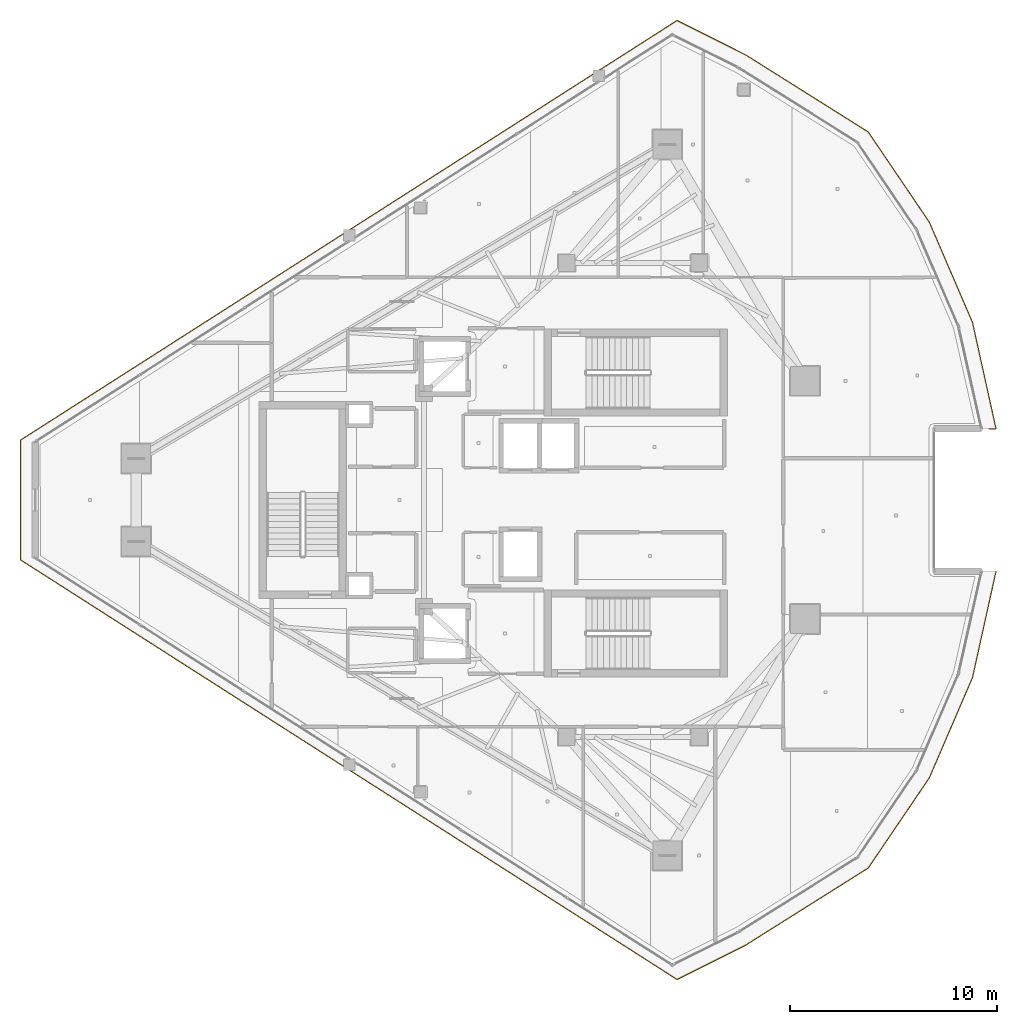
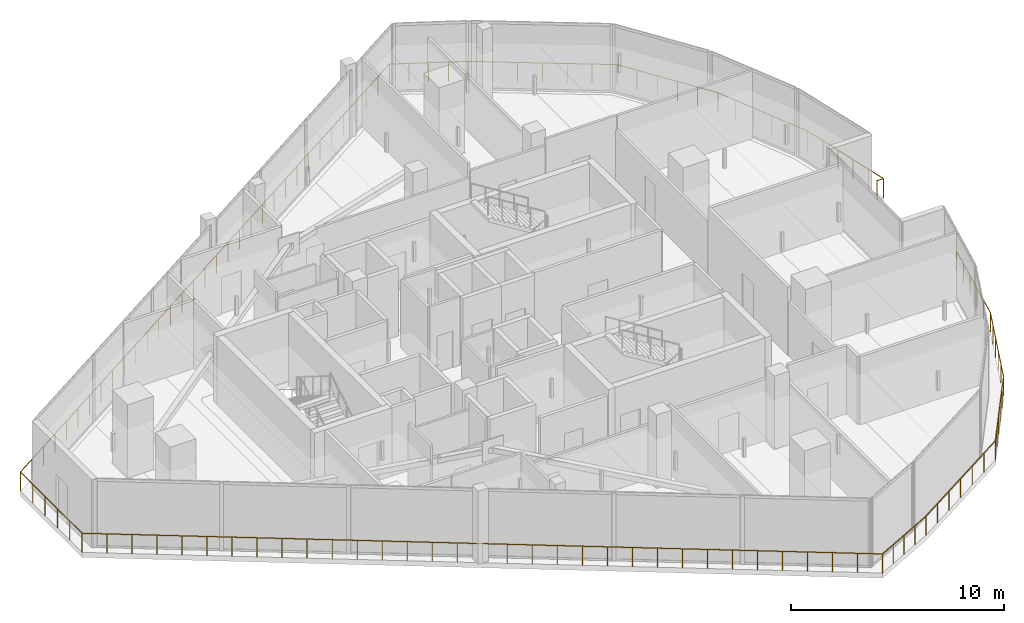
# One storey, part 28 of 30: 1 railing.
"""IFC4 building model written with IfcOpenShell, lengths in metres."""

from ifc_helpers import new_model, si_unit, direction, frame, origin, origin_2d, place, context, subcontext, project, spatial, circle, extrude, material, type_object, element, save


model = new_model("IFC4")

# Units and contexts
model_context = context("Model", 3, precision=1e-05, world=origin(), true_north=direction((0.0, 1.0)))
body_context = subcontext(model_context, "Body", "Model", "MODEL_VIEW")
ifc_project = project(units=[si_unit("LENGTHUNIT", "METRE"), si_unit("AREAUNIT", "SQUARE_METRE"), si_unit("VOLUMEUNIT", "CUBIC_METRE"), si_unit("PLANEANGLEUNIT", "RADIAN"), si_unit("MASSUNIT", "GRAM", prefix="KILO")], contexts=[model_context])

# Site, building, storey
site_placement = place(None, origin())
site = spatial("IfcSite", under=ifc_project, at=site_placement, CompositionType="ELEMENT")
building_placement = place(site_placement, origin())
building = spatial("IfcBuilding", under=site, at=building_placement, Name="Qorvath Tower", CompositionType="ELEMENT")
storey_placement = place(building_placement, frame((0.0, 0.0, 301.800048828125)))
storey = spatial("IfcBuildingStorey", under=building, at=storey_placement, Name="L70", CompositionType="ELEMENT", Elevation=301.800048828125)

# Railing
ifc_material = material(Name="Laminated safety glass and stainless steel AISI 316", Category="steel")
railing_type = type_object("IfcRailingType", Name="RL-EXT-GRD", PredefinedType="GUARDRAIL", material=ifc_material)
railing_placement = place(storey_placement, frame((-2.86376953125, -3.439697265625, 0.0)))
element("IfcRailing", 1, at=railing_placement, inside=storey, type_object=railing_type, Name="Loggia Perimeter Guardrail L70-1.1", PredefinedType="GUARDRAIL", context=body_context, shape_type="SweptSolid", body=[
    extrude(circle(Radius=0.02392578125, at=origin_2d()), frame((0.0, 0.0, 1.09619140625), z_axis=(-0.216076472798, -0.976376442722, 0.0), x_axis=(0.976376442722, -0.216076472798, 0.0)), (0.0, 0.0, 1.0), 5.267578125),
    extrude(circle(Radius=0.02392578125, at=origin_2d()), frame((-1.13818359375, -5.14306640625, 1.09619140625), z_axis=(-0.395484959437, -0.918472452967, 0.0), x_axis=(0.918472452967, -0.395484959437, 0.0)), (0.0, 0.0, 1.0), 5.267578125),
    extrude(circle(Radius=0.02392578125, at=origin_2d()), frame((-3.221435546875, -9.981201171875, 1.09619140625), z_axis=(-0.560824573661, -0.827934657795, 0.0), x_axis=(0.827934657795, -0.560824573661, 0.0)), (0.0, 0.0, 1.0), 5.267333984375),
    extrude(circle(Radius=0.02392578125, at=origin_2d()), frame((-6.175537109375, -14.34228515625, 1.09619140625), z_axis=(-0.846512689609, -0.53236854371, 0.0), x_axis=(0.53236854371, -0.846512689609, 0.0)), (0.0, 0.0, 1.0), 7.004638671875),
    extrude(circle(Radius=0.02392578125, at=origin_2d()), frame((-12.10498046875, -18.0712890625, 1.09619140625), z_axis=(-0.894413993798, -0.447239988931, 0.0), x_axis=(0.447239988931, -0.894413993798, 0.0)), (0.0, 0.0, 1.0), 3.699951171875),
    extrude(circle(Radius=0.02392578125, at=origin_2d()), frame((-15.414306640625, -19.72607421875, 1.09619140625), z_axis=(-0.842604611095, 0.538532700364, 0.0), x_axis=(-0.538532700364, -0.842604611095, 0.0)), (0.0, 0.0, 1.0), 37.639404296875),
    extrude(circle(Radius=0.02392578125, at=origin_2d()), frame((-47.12939453125, 0.5439453125, 1.09619140625), z_axis=(0.0, 1.0, 0.0), x_axis=(-1.0, 0.0, 0.0)), (0.0, 0.0, 1.0), 5.79150390625),
    extrude(circle(Radius=0.02392578125, at=origin_2d()), frame((-47.12939453125, 6.33544921875, 1.09619140625), z_axis=(0.842604611095, 0.538532700364, 0.0), x_axis=(-0.538532700364, 0.842604611095, 0.0)), (0.0, 0.0, 1.0), 37.639404296875),
    extrude(circle(Radius=0.02392578125, at=origin_2d()), frame((-15.414306640625, 26.60546875, 1.09619140625), z_axis=(0.894413993798, -0.447239988931, 0.0), x_axis=(0.447239988931, 0.894413993798, 0.0)), (0.0, 0.0, 1.0), 3.699951171875),
    extrude(circle(Radius=0.02392578125, at=origin_2d()), frame((-12.10498046875, 24.95068359375, 1.09619140625), z_axis=(0.846512689609, -0.53236854371, 0.0), x_axis=(0.53236854371, 0.846512689609, 0.0)), (0.0, 0.0, 1.0), 7.004638671875),
    extrude(circle(Radius=0.02392578125, at=origin_2d()), frame((-6.175537109375, 21.2216796875, 1.09619140625), z_axis=(0.560824573661, -0.827934657795, 0.0), x_axis=(0.827934657795, 0.560824573661, 0.0)), (0.0, 0.0, 1.0), 5.267333984375),
    extrude(circle(Radius=0.02392578125, at=origin_2d()), frame((-3.221435546875, 16.860595703125, 1.09619140625), z_axis=(0.395484959437, -0.918472452967, 0.0), x_axis=(0.918472452967, 0.395484959437, 0.0)), (0.0, 0.0, 1.0), 5.267578125),
    extrude(circle(Radius=0.02392578125, at=origin_2d()), frame((-1.13818359375, 12.0224609375, 1.09619140625), z_axis=(0.216076472798, -0.976376442722, 0.0), x_axis=(0.976376442722, 0.216076472798, 0.0)), (0.0, 0.0, 1.0), 5.267578125),
    extrude(circle(Radius=0.02392578125, at=origin_2d()), frame((0.0, 6.87939453125, 1.09619140625), z_axis=(-1.0, 0.0, 0.0), x_axis=(0.0, -1.0, 0.0)), (0.0, 0.0, 1.0), 0.35400390625),
    extrude(circle(Radius=0.02099609375, at=origin_2d()), origin(), (0.0, 0.0, 1.0), 1.072021484375),
    extrude(circle(Radius=0.02099609375, at=origin_2d()), frame((-0.2275390625, -1.028564453125, 0.0)), (0.0, 0.0, 1.0), 1.072021484375),
    extrude(circle(Radius=0.02099609375, at=origin_2d()), frame((-0.455322265625, -2.05712890625, 0.0)), (0.0, 0.0, 1.0), 1.072021484375),
    extrude(circle(Radius=0.02099609375, at=origin_2d()), frame((-0.682861328125, -3.0859375, 0.0)), (0.0, 0.0, 1.0), 1.072021484375),
    extrude(circle(Radius=0.02099609375, at=origin_2d()), frame((-0.91064453125, -4.114501953125, 0.0)), (0.0, 0.0, 1.0), 1.072021484375),
    extrude(circle(Radius=0.02099609375, at=origin_2d()), frame((-1.13818359375, -5.14306640625, 0.0)), (0.0, 0.0, 1.0), 1.072021484375),
    extrude(circle(Radius=0.02099609375, at=origin_2d()), frame((-1.554931640625, -6.110595703125, 0.0)), (0.0, 0.0, 1.0), 1.072021484375),
    extrude(circle(Radius=0.02099609375, at=origin_2d()), frame((-1.971435546875, -7.078369140625, 0.0)), (0.0, 0.0, 1.0), 1.072021484375),
    extrude(circle(Radius=0.02099609375, at=origin_2d()), frame((-2.38818359375, -8.0458984375, 0.0)), (0.0, 0.0, 1.0), 1.072021484375),
    extrude(circle(Radius=0.02099609375, at=origin_2d()), frame((-2.8046875, -9.013671875, 0.0)), (0.0, 0.0, 1.0), 1.072021484375),
    extrude(circle(Radius=0.02099609375, at=origin_2d()), frame((-3.221435546875, -9.981201171875, 0.0)), (0.0, 0.0, 1.0), 1.072021484375),
    extrude(circle(Radius=0.02099609375, at=origin_2d()), frame((-3.812255859375, -10.853515625, 0.0)), (0.0, 0.0, 1.0), 1.072021484375),
    extrude(circle(Radius=0.02099609375, at=origin_2d()), frame((-4.403076171875, -11.7255859375, 0.0)), (0.0, 0.0, 1.0), 1.072021484375),
    extrude(circle(Radius=0.02099609375, at=origin_2d()), frame((-4.993896484375, -12.597900390625, 0.0)), (0.0, 0.0, 1.0), 1.072021484375),
    extrude(circle(Radius=0.02099609375, at=origin_2d()), frame((-5.584716796875, -13.469970703125, 0.0)), (0.0, 0.0, 1.0), 1.072021484375),
    extrude(circle(Radius=0.02099609375, at=origin_2d()), frame((-6.175537109375, -14.34228515625, 0.0)), (0.0, 0.0, 1.0), 1.072021484375),
    extrude(circle(Radius=0.02099609375, at=origin_2d()), frame((-7.163818359375, -14.9638671875, 0.0)), (0.0, 0.0, 1.0), 1.072021484375),
    extrude(circle(Radius=0.02099609375, at=origin_2d()), frame((-8.152099609375, -15.585205078125, 0.0)), (0.0, 0.0, 1.0), 1.072021484375),
    extrude(circle(Radius=0.02099609375, at=origin_2d()), frame((-9.14013671875, -16.206787109375, 0.0)), (0.0, 0.0, 1.0), 1.072021484375),
    extrude(circle(Radius=0.02099609375, at=origin_2d()), frame((-10.12841796875, -16.828369140625, 0.0)), (0.0, 0.0, 1.0), 1.072021484375),
    extrude(circle(Radius=0.02099609375, at=origin_2d()), frame((-11.11669921875, -17.44970703125, 0.0)), (0.0, 0.0, 1.0), 1.072021484375),
    extrude(circle(Radius=0.02099609375, at=origin_2d()), frame((-12.10498046875, -18.0712890625, 0.0)), (0.0, 0.0, 1.0), 1.072021484375),
    extrude(circle(Radius=0.02099609375, at=origin_2d()), frame((-12.932373046875, -18.48486328125, 0.0)), (0.0, 0.0, 1.0), 1.072021484375),
    extrude(circle(Radius=0.02099609375, at=origin_2d()), frame((-13.759765625, -18.898681640625, 0.0)), (0.0, 0.0, 1.0), 1.072021484375),
    extrude(circle(Radius=0.02099609375, at=origin_2d()), frame((-14.5869140625, -19.3125, 0.0)), (0.0, 0.0, 1.0), 1.072021484375),
    extrude(circle(Radius=0.02099609375, at=origin_2d()), frame((-15.414306640625, -19.72607421875, 0.0)), (0.0, 0.0, 1.0), 1.072021484375),
    extrude(circle(Radius=0.02099609375, at=origin_2d()), frame((-16.405517578125, -19.092529296875, 0.0)), (0.0, 0.0, 1.0), 1.072021484375),
    extrude(circle(Radius=0.02099609375, at=origin_2d()), frame((-17.396484375, -18.459228515625, 0.0)), (0.0, 0.0, 1.0), 1.072021484375),
    extrude(circle(Radius=0.02099609375, at=origin_2d()), frame((-18.3876953125, -17.82568359375, 0.0)), (0.0, 0.0, 1.0), 1.072021484375),
    extrude(circle(Radius=0.02099609375, at=origin_2d()), frame((-19.378662109375, -17.1923828125, 0.0)), (0.0, 0.0, 1.0), 1.072021484375),
    extrude(circle(Radius=0.02099609375, at=origin_2d()), frame((-20.369873046875, -16.558837890625, 0.0)), (0.0, 0.0, 1.0), 1.072021484375),
    extrude(circle(Radius=0.02099609375, at=origin_2d()), frame((-21.36083984375, -15.925537109375, 0.0)), (0.0, 0.0, 1.0), 1.072021484375),
    extrude(circle(Radius=0.02099609375, at=origin_2d()), frame((-22.35205078125, -15.2919921875, 0.0)), (0.0, 0.0, 1.0), 1.072021484375),
    extrude(circle(Radius=0.02099609375, at=origin_2d()), frame((-23.343017578125, -14.65869140625, 0.0)), (0.0, 0.0, 1.0), 1.072021484375),
    extrude(circle(Radius=0.02099609375, at=origin_2d()), frame((-24.334228515625, -14.025146484375, 0.0)), (0.0, 0.0, 1.0), 1.072021484375),
    extrude(circle(Radius=0.02099609375, at=origin_2d()), frame((-25.3251953125, -13.3916015625, 0.0)), (0.0, 0.0, 1.0), 1.072021484375),
    extrude(circle(Radius=0.02099609375, at=origin_2d()), frame((-26.31640625, -12.75830078125, 0.0)), (0.0, 0.0, 1.0), 1.072021484375),
    extrude(circle(Radius=0.02099609375, at=origin_2d()), frame((-27.307373046875, -12.124755859375, 0.0)), (0.0, 0.0, 1.0), 1.072021484375),
    extrude(circle(Radius=0.02099609375, at=origin_2d()), frame((-28.298583984375, -11.491455078125, 0.0)), (0.0, 0.0, 1.0), 1.072021484375),
    extrude(circle(Radius=0.02099609375, at=origin_2d()), frame((-29.28955078125, -10.85791015625, 0.0)), (0.0, 0.0, 1.0), 1.072021484375),
    extrude(circle(Radius=0.02099609375, at=origin_2d()), frame((-30.28076171875, -10.224609375, 0.0)), (0.0, 0.0, 1.0), 1.072021484375),
    extrude(circle(Radius=0.02099609375, at=origin_2d()), frame((-31.27197265625, -9.591064453125, 0.0)), (0.0, 0.0, 1.0), 1.072021484375),
    extrude(circle(Radius=0.02099609375, at=origin_2d()), frame((-32.262939453125, -8.95751953125, 0.0)), (0.0, 0.0, 1.0), 1.072021484375),
    extrude(circle(Radius=0.02099609375, at=origin_2d()), frame((-33.254150390625, -8.32421875, 0.0)), (0.0, 0.0, 1.0), 1.072021484375),
    extrude(circle(Radius=0.02099609375, at=origin_2d()), frame((-34.2451171875, -7.690673828125, 0.0)), (0.0, 0.0, 1.0), 1.072021484375),
    extrude(circle(Radius=0.02099609375, at=origin_2d()), frame((-35.236328125, -7.057373046875, 0.0)), (0.0, 0.0, 1.0), 1.072021484375),
    extrude(circle(Radius=0.02099609375, at=origin_2d()), frame((-36.227294921875, -6.423828125, 0.0)), (0.0, 0.0, 1.0), 1.072021484375),
    extrude(circle(Radius=0.02099609375, at=origin_2d()), frame((-37.218505859375, -5.79052734375, 0.0)), (0.0, 0.0, 1.0), 1.072021484375),
    extrude(circle(Radius=0.02099609375, at=origin_2d()), frame((-38.20947265625, -5.156982421875, 0.0)), (0.0, 0.0, 1.0), 1.072021484375),
    extrude(circle(Radius=0.02099609375, at=origin_2d()), frame((-39.20068359375, -4.5234375, 0.0)), (0.0, 0.0, 1.0), 1.072021484375),
    extrude(circle(Radius=0.02099609375, at=origin_2d()), frame((-40.191650390625, -3.89013671875, 0.0)), (0.0, 0.0, 1.0), 1.072021484375),
    extrude(circle(Radius=0.02099609375, at=origin_2d()), frame((-41.182861328125, -3.256591796875, 0.0)), (0.0, 0.0, 1.0), 1.072021484375),
    extrude(circle(Radius=0.02099609375, at=origin_2d()), frame((-42.173828125, -2.623291015625, 0.0)), (0.0, 0.0, 1.0), 1.072021484375),
    extrude(circle(Radius=0.02099609375, at=origin_2d()), frame((-43.1650390625, -1.98974609375, 0.0)), (0.0, 0.0, 1.0), 1.072021484375),
    extrude(circle(Radius=0.02099609375, at=origin_2d()), frame((-44.156005859375, -1.3564453125, 0.0)), (0.0, 0.0, 1.0), 1.072021484375),
    extrude(circle(Radius=0.02099609375, at=origin_2d()), frame((-45.147216796875, -0.722900390625, 0.0)), (0.0, 0.0, 1.0), 1.072021484375),
    extrude(circle(Radius=0.02099609375, at=origin_2d()), frame((-46.13818359375, -0.089599609375, 0.0)), (0.0, 0.0, 1.0), 1.072021484375),
    extrude(circle(Radius=0.02099609375, at=origin_2d()), frame((-47.12939453125, 0.5439453125, 0.0)), (0.0, 0.0, 1.0), 1.072021484375),
    extrude(circle(Radius=0.02099609375, at=origin_2d()), frame((-47.12939453125, 1.7021484375, 0.0)), (0.0, 0.0, 1.0), 1.072021484375),
    extrude(circle(Radius=0.02099609375, at=origin_2d()), frame((-47.12939453125, 2.860595703125, 0.0)), (0.0, 0.0, 1.0), 1.072021484375),
    extrude(circle(Radius=0.02099609375, at=origin_2d()), frame((-47.12939453125, 4.018798828125, 0.0)), (0.0, 0.0, 1.0), 1.072021484375),
    extrude(circle(Radius=0.02099609375, at=origin_2d()), frame((-47.12939453125, 5.17724609375, 0.0)), (0.0, 0.0, 1.0), 1.072021484375),
    extrude(circle(Radius=0.02099609375, at=origin_2d()), frame((-47.12939453125, 6.33544921875, 0.0)), (0.0, 0.0, 1.0), 1.072021484375),
    extrude(circle(Radius=0.02099609375, at=origin_2d()), frame((-46.13818359375, 6.968994140625, 0.0)), (0.0, 0.0, 1.0), 1.072021484375),
    extrude(circle(Radius=0.02099609375, at=origin_2d()), frame((-45.147216796875, 7.602294921875, 0.0)), (0.0, 0.0, 1.0), 1.072021484375),
    extrude(circle(Radius=0.02099609375, at=origin_2d()), frame((-44.156005859375, 8.23583984375, 0.0)), (0.0, 0.0, 1.0), 1.072021484375),
    extrude(circle(Radius=0.02099609375, at=origin_2d()), frame((-43.1650390625, 8.869140625, 0.0)), (0.0, 0.0, 1.0), 1.072021484375),
    extrude(circle(Radius=0.02099609375, at=origin_2d()), frame((-42.173828125, 9.502685546875, 0.0)), (0.0, 0.0, 1.0), 1.072021484375),
    extrude(circle(Radius=0.02099609375, at=origin_2d()), frame((-41.182861328125, 10.135986328125, 0.0)), (0.0, 0.0, 1.0), 1.072021484375),
    extrude(circle(Radius=0.02099609375, at=origin_2d()), frame((-40.191650390625, 10.76953125, 0.0)), (0.0, 0.0, 1.0), 1.072021484375),
    extrude(circle(Radius=0.02099609375, at=origin_2d()), frame((-39.20068359375, 11.40283203125, 0.0)), (0.0, 0.0, 1.0), 1.072021484375),
    extrude(circle(Radius=0.02099609375, at=origin_2d()), frame((-38.20947265625, 12.036376953125, 0.0)), (0.0, 0.0, 1.0), 1.072021484375),
    extrude(circle(Radius=0.02099609375, at=origin_2d()), frame((-37.218505859375, 12.669921875, 0.0)), (0.0, 0.0, 1.0), 1.072021484375),
    extrude(circle(Radius=0.02099609375, at=origin_2d()), frame((-36.227294921875, 13.30322265625, 0.0)), (0.0, 0.0, 1.0), 1.072021484375),
    extrude(circle(Radius=0.02099609375, at=origin_2d()), frame((-35.236328125, 13.936767578125, 0.0)), (0.0, 0.0, 1.0), 1.072021484375),
    extrude(circle(Radius=0.02099609375, at=origin_2d()), frame((-34.2451171875, 14.570068359375, 0.0)), (0.0, 0.0, 1.0), 1.072021484375),
    extrude(circle(Radius=0.02099609375, at=origin_2d()), frame((-33.254150390625, 15.20361328125, 0.0)), (0.0, 0.0, 1.0), 1.072021484375),
    extrude(circle(Radius=0.02099609375, at=origin_2d()), frame((-32.262939453125, 15.8369140625, 0.0)), (0.0, 0.0, 1.0), 1.072021484375),
    extrude(circle(Radius=0.02099609375, at=origin_2d()), frame((-31.27197265625, 16.470458984375, 0.0)), (0.0, 0.0, 1.0), 1.072021484375),
    extrude(circle(Radius=0.02099609375, at=origin_2d()), frame((-30.28076171875, 17.10400390625, 0.0)), (0.0, 0.0, 1.0), 1.072021484375),
    extrude(circle(Radius=0.02099609375, at=origin_2d()), frame((-29.28955078125, 17.7373046875, 0.0)), (0.0, 0.0, 1.0), 1.072021484375),
    extrude(circle(Radius=0.02099609375, at=origin_2d()), frame((-28.298583984375, 18.370849609375, 0.0)), (0.0, 0.0, 1.0), 1.072021484375),
    extrude(circle(Radius=0.02099609375, at=origin_2d()), frame((-27.307373046875, 19.004150390625, 0.0)), (0.0, 0.0, 1.0), 1.072021484375),
    extrude(circle(Radius=0.02099609375, at=origin_2d()), frame((-26.31640625, 19.6376953125, 0.0)), (0.0, 0.0, 1.0), 1.072021484375),
    extrude(circle(Radius=0.02099609375, at=origin_2d()), frame((-25.3251953125, 20.27099609375, 0.0)), (0.0, 0.0, 1.0), 1.072021484375),
    extrude(circle(Radius=0.02099609375, at=origin_2d()), frame((-24.334228515625, 20.904541015625, 0.0)), (0.0, 0.0, 1.0), 1.072021484375),
    extrude(circle(Radius=0.02099609375, at=origin_2d()), frame((-23.343017578125, 21.5380859375, 0.0)), (0.0, 0.0, 1.0), 1.072021484375),
    extrude(circle(Radius=0.02099609375, at=origin_2d()), frame((-22.35205078125, 22.17138671875, 0.0)), (0.0, 0.0, 1.0), 1.072021484375),
    extrude(circle(Radius=0.02099609375, at=origin_2d()), frame((-21.36083984375, 22.804931640625, 0.0)), (0.0, 0.0, 1.0), 1.072021484375),
    extrude(circle(Radius=0.02099609375, at=origin_2d()), frame((-20.369873046875, 23.438232421875, 0.0)), (0.0, 0.0, 1.0), 1.072021484375),
    extrude(circle(Radius=0.02099609375, at=origin_2d()), frame((-19.378662109375, 24.07177734375, 0.0)), (0.0, 0.0, 1.0), 1.072021484375),
    extrude(circle(Radius=0.02099609375, at=origin_2d()), frame((-18.3876953125, 24.705078125, 0.0)), (0.0, 0.0, 1.0), 1.072021484375),
    extrude(circle(Radius=0.02099609375, at=origin_2d()), frame((-17.396484375, 25.338623046875, 0.0)), (0.0, 0.0, 1.0), 1.072021484375),
    extrude(circle(Radius=0.02099609375, at=origin_2d()), frame((-16.405517578125, 25.971923828125, 0.0)), (0.0, 0.0, 1.0), 1.072021484375),
    extrude(circle(Radius=0.02099609375, at=origin_2d()), frame((-15.414306640625, 26.60546875, 0.0)), (0.0, 0.0, 1.0), 1.072021484375),
    extrude(circle(Radius=0.02099609375, at=origin_2d()), frame((-14.5869140625, 26.19189453125, 0.0)), (0.0, 0.0, 1.0), 1.072021484375),
    extrude(circle(Radius=0.02099609375, at=origin_2d()), frame((-13.759765625, 25.778076171875, 0.0)), (0.0, 0.0, 1.0), 1.072021484375),
    extrude(circle(Radius=0.02099609375, at=origin_2d()), frame((-12.932373046875, 25.3642578125, 0.0)), (0.0, 0.0, 1.0), 1.072021484375),
    extrude(circle(Radius=0.02099609375, at=origin_2d()), frame((-12.10498046875, 24.95068359375, 0.0)), (0.0, 0.0, 1.0), 1.072021484375),
    extrude(circle(Radius=0.02099609375, at=origin_2d()), frame((-11.11669921875, 24.3291015625, 0.0)), (0.0, 0.0, 1.0), 1.072021484375),
    extrude(circle(Radius=0.02099609375, at=origin_2d()), frame((-10.12841796875, 23.707763671875, 0.0)), (0.0, 0.0, 1.0), 1.072021484375),
    extrude(circle(Radius=0.02099609375, at=origin_2d()), frame((-9.14013671875, 23.086181640625, 0.0)), (0.0, 0.0, 1.0), 1.072021484375),
    extrude(circle(Radius=0.02099609375, at=origin_2d()), frame((-8.152099609375, 22.464599609375, 0.0)), (0.0, 0.0, 1.0), 1.072021484375),
    extrude(circle(Radius=0.02099609375, at=origin_2d()), frame((-7.163818359375, 21.84326171875, 0.0)), (0.0, 0.0, 1.0), 1.072021484375),
    extrude(circle(Radius=0.02099609375, at=origin_2d()), frame((-6.175537109375, 21.2216796875, 0.0)), (0.0, 0.0, 1.0), 1.072021484375),
    extrude(circle(Radius=0.02099609375, at=origin_2d()), frame((-5.584716796875, 20.349365234375, 0.0)), (0.0, 0.0, 1.0), 1.072021484375),
    extrude(circle(Radius=0.02099609375, at=origin_2d()), frame((-4.993896484375, 19.477294921875, 0.0)), (0.0, 0.0, 1.0), 1.072021484375),
    extrude(circle(Radius=0.02099609375, at=origin_2d()), frame((-4.403076171875, 18.60498046875, 0.0)), (0.0, 0.0, 1.0), 1.072021484375),
    extrude(circle(Radius=0.02099609375, at=origin_2d()), frame((-3.812255859375, 17.73291015625, 0.0)), (0.0, 0.0, 1.0), 1.072021484375),
    extrude(circle(Radius=0.02099609375, at=origin_2d()), frame((-3.221435546875, 16.860595703125, 0.0)), (0.0, 0.0, 1.0), 1.072021484375),
    extrude(circle(Radius=0.02099609375, at=origin_2d()), frame((-2.8046875, 15.89306640625, 0.0)), (0.0, 0.0, 1.0), 1.072021484375),
    extrude(circle(Radius=0.02099609375, at=origin_2d()), frame((-2.38818359375, 14.92529296875, 0.0)), (0.0, 0.0, 1.0), 1.072021484375),
    extrude(circle(Radius=0.02099609375, at=origin_2d()), frame((-1.971435546875, 13.957763671875, 0.0)), (0.0, 0.0, 1.0), 1.072021484375),
    extrude(circle(Radius=0.02099609375, at=origin_2d()), frame((-1.554931640625, 12.989990234375, 0.0)), (0.0, 0.0, 1.0), 1.072021484375),
    extrude(circle(Radius=0.02099609375, at=origin_2d()), frame((-1.13818359375, 12.0224609375, 0.0)), (0.0, 0.0, 1.0), 1.072021484375),
    extrude(circle(Radius=0.02099609375, at=origin_2d()), frame((-0.91064453125, 10.993896484375, 0.0)), (0.0, 0.0, 1.0), 1.072021484375),
    extrude(circle(Radius=0.02099609375, at=origin_2d()), frame((-0.682861328125, 9.96533203125, 0.0)), (0.0, 0.0, 1.0), 1.072021484375),
    extrude(circle(Radius=0.02099609375, at=origin_2d()), frame((-0.455322265625, 8.9365234375, 0.0)), (0.0, 0.0, 1.0), 1.072021484375),
    extrude(circle(Radius=0.02099609375, at=origin_2d()), frame((-0.2275390625, 7.907958984375, 0.0)), (0.0, 0.0, 1.0), 1.072021484375),
    extrude(circle(Radius=0.02099609375, at=origin_2d()), frame((0.0, 6.87939453125, 0.0)), (0.0, 0.0, 1.0), 1.072021484375),
    extrude(circle(Radius=0.02099609375, at=origin_2d()), frame((-0.35400390625, 6.87939453125, 0.0)), (0.0, 0.0, 1.0), 1.072021484375),
])

save(model, "model.ifc")
